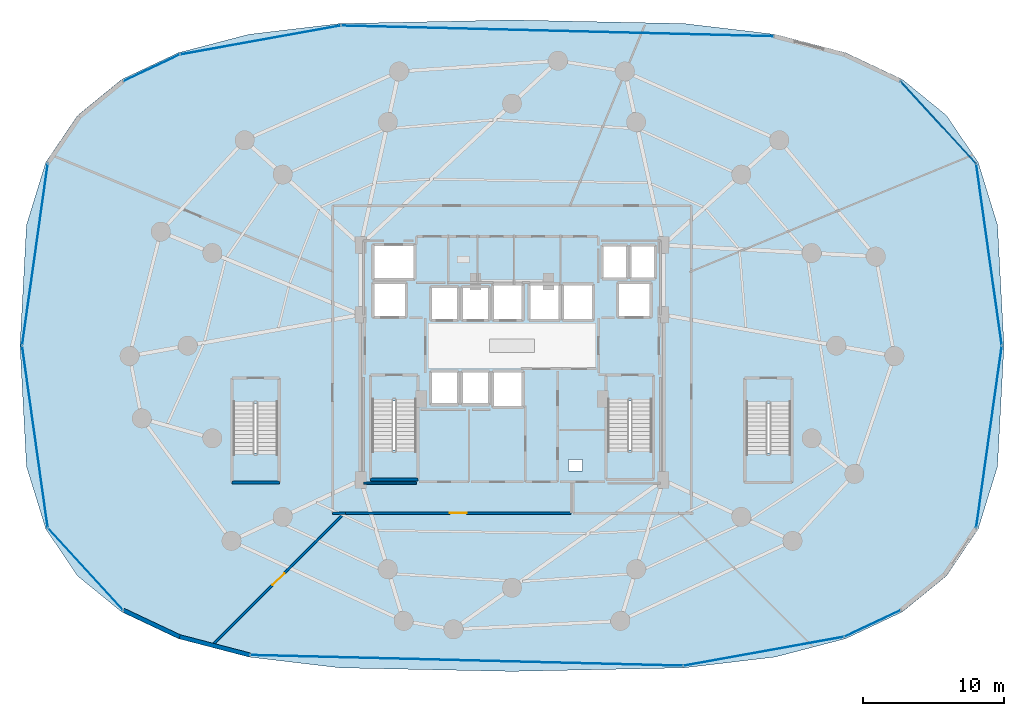
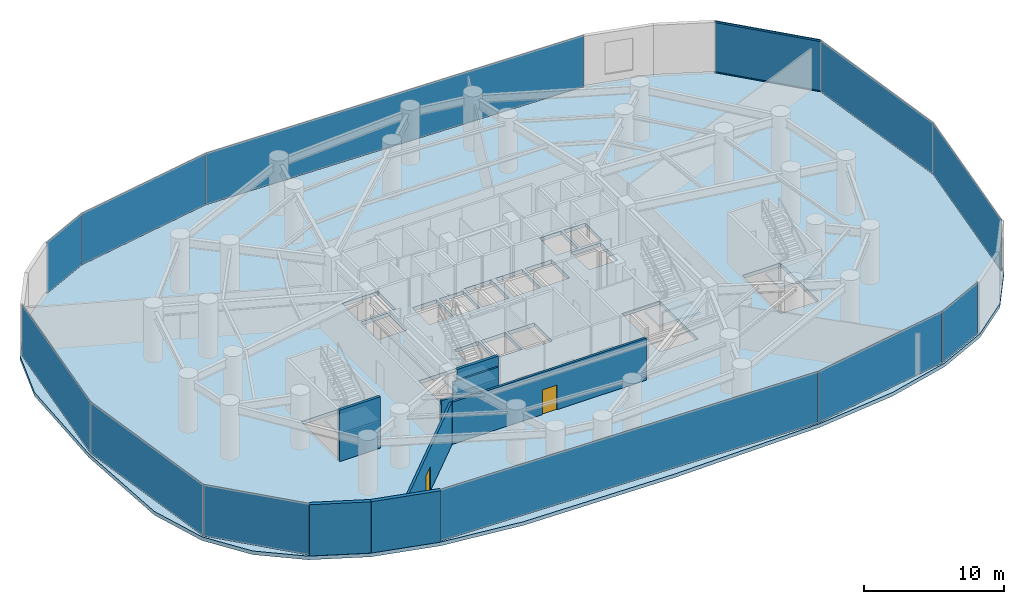
# One storey, part 20 of 26: 12 plates, 8 walls, 5 slabs, 2 doors, 2 members, 2 openings, 8 elements without a shape of their own.
"""IFC4 building model written with IfcOpenShell, lengths in metres."""

from ifc_helpers import new_model, si_unit, direction, frame, frame_2d, origin, origin_2d, place, context, subcontext, project, spatial, polyline, rectangle, hollow_rectangle, outline, extrude, material, layer, layer_set, material_profile, profile_set, type_object, element, fill, aggregate, save


model = new_model("IFC4")

# Units and contexts
model_context = context("Model", 3, precision=1e-05, world=origin(), true_north=direction((0.0, 1.0)))
body_context = subcontext(model_context, "Body", "Model", "MODEL_VIEW")
ifc_project = project(units=[si_unit("LENGTHUNIT", "METRE"), si_unit("AREAUNIT", "SQUARE_METRE"), si_unit("VOLUMEUNIT", "CUBIC_METRE"), si_unit("PLANEANGLEUNIT", "RADIAN"), si_unit("MASSUNIT", "GRAM", prefix="KILO")], contexts=[model_context])

# Site, building, storey
site_placement = place(None, origin())
site = spatial("IfcSite", under=ifc_project, at=site_placement, CompositionType="ELEMENT")
building_placement = place(site_placement, origin())
building = spatial("IfcBuilding", under=site, at=building_placement, Name="Vorneva Point Tower", CompositionType="ELEMENT")
storey_placement = place(building_placement, frame((0.0, 0.0, 14.39990234375)))
storey = spatial("IfcBuildingStorey", under=building, at=storey_placement, Name="L03", CompositionType="ELEMENT", Elevation=14.39990234375)

# Curtain wall, members, plates
ifc_material_1 = material(Name="Pale anodised aluminium", Category="aluminium")
curtain_wall_type = type_object("IfcCurtainWallType", Name="CW-POD-SYS", PredefinedType="NOTDEFINED", material=ifc_material_1)
curtain_wall_1_placement = place(storey_placement, origin())
curtain_wall_1 = element("IfcCurtainWall", 1, at=curtain_wall_1_placement, inside=storey, type_object=curtain_wall_type, Name="L03 Unitised Curtain Wall CW-L03-R01", PredefinedType="NOTDEFINED")
ifc_material_profile = material_profile(ifc_material_1, hollow_rectangle(XDim=0.074951171875, YDim=0.14990234375, WallThickness=0.00390625, at=origin_2d()), Name="AL-TRN 150x75x4")
ifc_profile_set = profile_set([ifc_material_profile], Name="Pale anodised aluminium")
member_type = type_object("IfcMemberType", Name="CW-TRN-150", PredefinedType="USERDEFINED", material=ifc_profile_set)
member_1_placement = place(storey_placement, frame((70.990234375, 38.9462890625, 0.02001953125), z_axis=(-0.675873489508, 0.737017656627, 0.0), x_axis=(-0.737017656627, -0.675873489508, 0.0)))
member_1 = element("IfcMember", 2, at=member_1_placement, type_object=member_type, Name="CW-L03-R01 Transom 03.1", ObjectType="TRANSOM", PredefinedType="USERDEFINED", context=body_context, shape_type="SweptSolid", body=[
    extrude(hollow_rectangle(XDim=0.074951171875, YDim=0.14990234375, WallThickness=0.00390625, at=origin_2d()), origin(), (0.0, 0.0, 1.0), 7.94580078125),
])
member_2_placement = place(storey_placement, frame((70.990234375, 38.9462890625, 4.460205078125), z_axis=(-0.675873489508, 0.737017656627, 0.0), x_axis=(-0.737017656627, -0.675873489508, 0.0)))
member_2 = element("IfcMember", 3, at=member_2_placement, type_object=member_type, Name="CW-L03-R01 Transom 03.2", ObjectType="TRANSOM", PredefinedType="USERDEFINED", context=body_context, shape_type="SweptSolid", body=[
    extrude(hollow_rectangle(XDim=0.074951171875, YDim=0.14990234375, WallThickness=0.00390625, at=origin_2d()), origin(), (0.0, 0.0, 1.0), 7.94580078125),
])
ifc_material_2 = material(Name="Double low-e laminated glass IGU", Category="glass")
ifc_layer_1 = layer(ifc_material_2, 0.035888671875)
ifc_layer_set_1 = layer_set([ifc_layer_1], Name="Double low-e laminated glass IGU")
plate_type = type_object("IfcPlateType", Name="CW-PNL-VIS", PredefinedType="CURTAIN_PANEL", material=ifc_layer_set_1)
plate_1_placement = place(storey_placement, frame((71.90234375, 19.52685546875, -0.02001953125), z_axis=(0.0, 0.0, 1.0), x_axis=(0.139536043808, 0.990216992623, 0.0)))
plate_1 = element("IfcPlate", 4, at=plate_1_placement, type_object=plate_type, Name="CW-L03-R01 Glazed Panel 01", PredefinedType="CURTAIN_PANEL", context=body_context, shape_type="SweptSolid", body=[
    extrude(rectangle(XDim=13.024169921875, YDim=0.035888671875, at=origin_2d()), origin(), (0.0, 0.0, 1.0), 4.52001953125),
])
plate_2_placement = place(storey_placement, frame((71.90234375, 32.47314453125, -0.02001953125), z_axis=(0.0, 0.0, 1.0), x_axis=(-0.139536043808, 0.990216992623, 0.0)))
plate_2 = element("IfcPlate", 5, at=plate_2_placement, type_object=plate_type, Name="CW-L03-R01 Glazed Panel 02", PredefinedType="CURTAIN_PANEL", context=body_context, shape_type="SweptSolid", body=[
    extrude(rectangle(XDim=13.024169921875, YDim=0.035888671875, at=origin_2d()), origin(), (0.0, 0.0, 1.0), 4.52001953125),
])
plate_3_placement = place(storey_placement, frame((68.30517578125, 41.874267578125, -0.02001953125), z_axis=(0.0, 0.0, 1.0), x_axis=(-0.675873251981, 0.737017874449, 0.0)))
plate_3 = element("IfcPlate", 6, at=plate_3_placement, type_object=plate_type, Name="CW-L03-R01 Glazed Panel 03", PredefinedType="CURTAIN_PANEL", context=body_context, shape_type="SweptSolid", body=[
    extrude(rectangle(XDim=7.89599609375, YDim=0.035888671875, at=origin_2d()), origin(), (0.0, 0.0, 1.0), 4.52001953125),
])
aggregate(curtain_wall_1, [plate_1, plate_2, member_1, member_2, plate_3])

# Curtain wall, plates
curtain_wall_2_placement = place(storey_placement, origin())
curtain_wall_2 = element("IfcCurtainWall", 7, at=curtain_wall_2_placement, inside=storey, type_object=curtain_wall_type, Name="L03 Unitised Curtain Wall CW-L03-R02", PredefinedType="NOTDEFINED")
plate_4_placement = place(storey_placement, frame((41.21923828125, 48.367919921875, -0.02001953125), z_axis=(0.0, 0.0, 1.0), x_axis=(-0.999694196604, 0.024728794476, 0.0)))
plate_4 = element("IfcPlate", 8, at=plate_4_placement, type_object=plate_type, Name="CW-L03-R02 Glazed Panel 01", PredefinedType="CURTAIN_PANEL", context=body_context, shape_type="SweptSolid", body=[
    extrude(rectangle(XDim=30.757080078125, YDim=0.035888671875, at=origin_2d()), origin(), (0.0, 0.0, 1.0), 4.52001953125),
])
plate_5_placement = place(storey_placement, frame((20.100830078125, 47.7177734375, -0.02001953125), z_axis=(0.0, 0.0, 1.0), x_axis=(-0.984136830332, -0.1774111022, 0.0)))
plate_5 = element("IfcPlate", 9, at=plate_5_placement, type_object=plate_type, Name="CW-L03-R02 Glazed Panel 02", PredefinedType="CURTAIN_PANEL", context=body_context, shape_type="SweptSolid", body=[
    extrude(rectangle(XDim=11.573486328125, YDim=0.035888671875, at=origin_2d()), origin(), (0.0, 0.0, 1.0), 4.52001953125),
])
plate_6_placement = place(storey_placement, frame((12.380615234375, 45.74462890625, -0.02001953125), z_axis=(0.0, 0.0, 1.0), x_axis=(-0.904708117179, -0.42603195034, 0.0)))
plate_6 = element("IfcPlate", 10, at=plate_6_placement, type_object=plate_type, Name="CW-L03-R02 Glazed Panel 03", PredefinedType="CURTAIN_PANEL", context=body_context, shape_type="SweptSolid", body=[
    extrude(rectangle(XDim=4.37255859375, YDim=0.035888671875, at=origin_2d()), origin(), (0.0, 0.0, 1.0), 4.52001953125),
])
aggregate(curtain_wall_2, [plate_4, plate_5, plate_6])

curtain_wall_3_placement = place(storey_placement, origin())
curtain_wall_3 = element("IfcCurtainWall", 11, at=curtain_wall_3_placement, inside=storey, type_object=curtain_wall_type, Name="L03 Unitised Curtain Wall CW-L03-R03", PredefinedType="NOTDEFINED")
plate_7_placement = place(storey_placement, frame((4.09765625, 32.47314453125, -0.02001953125), z_axis=(0.0, 0.0, 1.0), x_axis=(-0.139536043808, -0.990216992623, 0.0)))
plate_7 = element("IfcPlate", 12, at=plate_7_placement, type_object=plate_type, Name="CW-L03-R03 Glazed Panel 01", PredefinedType="CURTAIN_PANEL", context=body_context, shape_type="SweptSolid", body=[
    extrude(rectangle(XDim=13.024169921875, YDim=0.035888671875, at=origin_2d()), origin(), (0.0, 0.0, 1.0), 4.52001953125),
])
plate_8_placement = place(storey_placement, frame((4.09765625, 19.52685546875, -0.02001953125), z_axis=(0.0, 0.0, 1.0), x_axis=(0.139536043808, -0.990216992623, 0.0)))
plate_8 = element("IfcPlate", 13, at=plate_8_placement, type_object=plate_type, Name="CW-L03-R03 Glazed Panel 02", PredefinedType="CURTAIN_PANEL", context=body_context, shape_type="SweptSolid", body=[
    extrude(rectangle(XDim=13.024169921875, YDim=0.035888671875, at=origin_2d()), origin(), (0.0, 0.0, 1.0), 4.52001953125),
])
plate_9_placement = place(storey_placement, frame((7.69482421875, 10.125732421875, -0.02001953125), z_axis=(0.0, 0.0, 1.0), x_axis=(0.675873251981, -0.737017874449, 0.0)))
plate_9 = element("IfcPlate", 14, at=plate_9_placement, type_object=plate_type, Name="CW-L03-R03 Glazed Panel 03", PredefinedType="CURTAIN_PANEL", context=body_context, shape_type="SweptSolid", body=[
    extrude(rectangle(XDim=7.89599609375, YDim=0.035888671875, at=origin_2d()), origin(), (0.0, 0.0, 1.0), 4.52001953125),
])
aggregate(curtain_wall_3, [plate_7, plate_8, plate_9])

curtain_wall_4_placement = place(storey_placement, origin())
curtain_wall_4 = element("IfcCurtainWall", 15, at=curtain_wall_4_placement, inside=storey, type_object=curtain_wall_type, Name="L03 Unitised Curtain Wall CW-L03-R04", PredefinedType="NOTDEFINED")
plate_10_placement = place(storey_placement, frame((34.780517578125, 3.632080078125, -0.02001953125), z_axis=(0.0, 0.0, 1.0), x_axis=(0.999694196604, -0.024728794476, 0.0)))
plate_10 = element("IfcPlate", 16, at=plate_10_placement, type_object=plate_type, Name="CW-L03-R04 Glazed Panel 01", PredefinedType="CURTAIN_PANEL", context=body_context, shape_type="SweptSolid", body=[
    extrude(rectangle(XDim=30.757080078125, YDim=0.035888671875, at=origin_2d()), origin(), (0.0, 0.0, 1.0), 4.52001953125),
])
plate_11_placement = place(storey_placement, frame((55.899169921875, 4.2822265625, -0.02001953125), z_axis=(0.0, 0.0, 1.0), x_axis=(0.984136830332, 0.1774111022, 0.0)))
plate_11 = element("IfcPlate", 17, at=plate_11_placement, type_object=plate_type, Name="CW-L03-R04 Glazed Panel 02", PredefinedType="CURTAIN_PANEL", context=body_context, shape_type="SweptSolid", body=[
    extrude(rectangle(XDim=11.573486328125, YDim=0.035888671875, at=origin_2d()), origin(), (0.0, 0.0, 1.0), 4.52001953125),
])
plate_12_placement = place(storey_placement, frame((63.619384765625, 6.25537109375, -0.02001953125), z_axis=(0.0, 0.0, 1.0), x_axis=(0.904708117179, 0.42603195034, 0.0)))
plate_12 = element("IfcPlate", 18, at=plate_12_placement, type_object=plate_type, Name="CW-L03-R04 Glazed Panel 03", PredefinedType="CURTAIN_PANEL", context=body_context, shape_type="SweptSolid", body=[
    extrude(rectangle(XDim=4.37255859375, YDim=0.035888671875, at=origin_2d()), origin(), (0.0, 0.0, 1.0), 4.52001953125),
])
aggregate(curtain_wall_4, [plate_10, plate_11, plate_12])

# Stair, slab
ifc_material_3 = material(Name="Concrete B50 (C40/50)", Category="concrete")
stair_type = type_object("IfcStairType", Name="ST-DOG-1500", PredefinedType="HALF_TURN_STAIR", material=ifc_material_3)
stair_1_placement = place(storey_placement, origin())
stair_1 = element("IfcStair", 19, at=stair_1_placement, inside=storey, type_object=stair_type, Name="L03 ST1", PredefinedType="HALF_TURN_STAIR")
ifc_layer_2 = layer(ifc_material_3, 0.199951171875)
ifc_layer_set_2 = layer_set([ifc_layer_2], Name="Concrete B50 (C40/50)")
slab_type_1 = type_object("IfcSlabType", Name="SLB-LND-200", PredefinedType="LANDING", material=ifc_layer_set_2)
slab_1_placement = place(storey_placement, frame((0.0, 0.0, 2.2001953125)))
slab_1 = element("IfcSlab", 20, at=slab_1_placement, type_object=slab_type_1, Name="ST1 landing 1", PredefinedType="LANDING", context=body_context, shape_type="SweptSolid", body=[
    extrude(outline(polyline([(27.929931640625, 16.47998046875), (31.320068359375, 16.47998046875), (31.320068359375, 18.570068359375), (27.929931640625, 18.570068359375), (27.929931640625, 16.47998046875)])), origin(), (0.0, 0.0, 1.0), 0.199951171875),
])
aggregate(stair_1, [slab_1])

stair_2_placement = place(storey_placement, origin())
stair_2 = element("IfcStair", 21, at=stair_2_placement, inside=storey, type_object=stair_type, Name="L03 ST2", PredefinedType="HALF_TURN_STAIR")
slab_2_placement = place(storey_placement, frame((0.0, 0.0, 2.2001953125)))
slab_2 = element("IfcSlab", 22, at=slab_2_placement, type_object=slab_type_1, Name="ST2 landing 1", PredefinedType="LANDING", context=body_context, shape_type="SweptSolid", body=[
    extrude(outline(polyline([(44.679931640625, 16.47998046875), (48.070068359375, 16.47998046875), (48.070068359375, 18.570068359375), (44.679931640625, 18.570068359375), (44.679931640625, 16.47998046875)])), origin(), (0.0, 0.0, 1.0), 0.199951171875),
])
aggregate(stair_2, [slab_2])

stair_3_placement = place(storey_placement, origin())
stair_3 = element("IfcStair", 23, at=stair_3_placement, inside=storey, type_object=stair_type, Name="L03 ST3", PredefinedType="HALF_TURN_STAIR")
slab_3_placement = place(storey_placement, frame((0.0, 0.0, 2.2001953125)))
slab_3 = element("IfcSlab", 24, at=slab_3_placement, type_object=slab_type_1, Name="ST3 landing 1", PredefinedType="LANDING", context=body_context, shape_type="SweptSolid", body=[
    extrude(outline(polyline([(18.080078125, 16.280029296875), (21.469970703125, 16.280029296875), (21.469970703125, 18.3701171875), (18.080078125, 18.3701171875), (18.080078125, 16.280029296875)])), origin(), (0.0, 0.0, 1.0), 0.199951171875),
])
aggregate(stair_3, [slab_3])

stair_4_placement = place(storey_placement, origin())
stair_4 = element("IfcStair", 25, at=stair_4_placement, inside=storey, type_object=stair_type, Name="L03 ST4", PredefinedType="HALF_TURN_STAIR")
slab_4_placement = place(storey_placement, frame((0.0, 0.0, 2.2001953125)))
slab_4 = element("IfcSlab", 26, at=slab_4_placement, type_object=slab_type_1, Name="ST4 landing 1", PredefinedType="LANDING", context=body_context, shape_type="SweptSolid", body=[
    extrude(outline(polyline([(54.530029296875, 16.280029296875), (57.919921875, 16.280029296875), (57.919921875, 18.3701171875), (54.530029296875, 18.3701171875), (54.530029296875, 16.280029296875)])), origin(), (0.0, 0.0, 1.0), 0.199951171875),
])
aggregate(stair_4, [slab_4])

# Slab
ifc_layer_3 = layer(ifc_material_3, 0.320068359375)
ifc_layer_set_3 = layer_set([ifc_layer_3], Name="Concrete B50 (C40/50)")
slab_type_2 = type_object("IfcSlabType", Name="SLB-POD-320", PredefinedType="FLOOR", material=ifc_layer_set_3)
slab_5_placement = place(storey_placement, frame((0.0, 0.0, -0.31982421875)))
element("IfcSlab", 27, at=slab_5_placement, inside=storey, type_object=slab_type_2, Name="L03 Structural Floor Plate", PredefinedType="FLOOR", context=body_context, shape_type="SweptSolid", body=[
    extrude(outline(polyline([(72.966796875, 26.0), (72.50634765625, 34.5791015625), (71.134521484375, 39.029296875), (68.873046875, 42.368896484375), (65.74072265625, 44.92333984375), (61.721923828125, 46.819580078125), (56.69970703125, 48.128173828125), (50.23291015625, 48.89501953125), (38.0, 49.1474609375), (25.76708984375, 48.89501953125), (19.30029296875, 48.128173828125), (14.278076171875, 46.819580078125), (10.25927734375, 44.92333984375), (7.126953125, 42.368896484375), (4.865478515625, 39.029296875), (3.49365234375, 34.5791015625), (3.033203125, 26.0), (3.49365234375, 17.4208984375), (4.865478515625, 12.970703125), (7.126953125, 9.631103515625), (10.25927734375, 7.07666015625), (14.278076171875, 5.180419921875), (19.30029296875, 3.871826171875), (25.76708984375, 3.10498046875), (38.0, 2.8525390625), (50.23291015625, 3.10498046875), (56.69970703125, 3.871826171875), (61.721923828125, 5.180419921875), (65.74072265625, 7.07666015625), (68.873046875, 9.631103515625), (71.134521484375, 12.970703125), (72.50634765625, 17.4208984375), (72.966796875, 26.0)]), holes=[polyline([(32.199951171875, 27.800048828125), (34.199951171875, 27.800048828125), (34.199951171875, 30.199951171875), (32.199951171875, 30.199951171875), (32.199951171875, 27.800048828125)]), polyline([(34.39990234375, 27.800048828125), (36.39990234375, 27.800048828125), (36.39990234375, 30.199951171875), (34.39990234375, 30.199951171875), (34.39990234375, 27.800048828125)]), polyline([(36.60009765625, 27.800048828125), (38.800048828125, 27.800048828125), (38.800048828125, 30.39990234375), (36.60009765625, 30.39990234375), (36.60009765625, 27.800048828125)]), polyline([(32.199951171875, 21.800048828125), (34.199951171875, 21.800048828125), (34.199951171875, 24.199951171875), (32.199951171875, 24.199951171875), (32.199951171875, 21.800048828125)]), polyline([(34.39990234375, 21.800048828125), (36.39990234375, 21.800048828125), (36.39990234375, 24.199951171875), (34.39990234375, 24.199951171875), (34.39990234375, 21.800048828125)]), polyline([(36.60009765625, 21.60009765625), (38.800048828125, 21.60009765625), (38.800048828125, 24.199951171875), (36.60009765625, 24.199951171875), (36.60009765625, 21.60009765625)]), polyline([(39.199951171875, 27.800048828125), (41.39990234375, 27.800048828125), (41.39990234375, 30.39990234375), (39.199951171875, 30.39990234375), (39.199951171875, 27.800048828125)]), polyline([(41.60009765625, 27.800048828125), (43.800048828125, 27.800048828125), (43.800048828125, 30.39990234375), (41.60009765625, 30.39990234375), (41.60009765625, 27.800048828125)]), polyline([(44.39990234375, 30.739990234375), (46.199951171875, 30.739990234375), (46.199951171875, 33.159912109375), (44.39990234375, 33.159912109375), (44.39990234375, 30.739990234375)]), polyline([(46.39990234375, 30.739990234375), (48.199951171875, 30.739990234375), (48.199951171875, 33.159912109375), (46.39990234375, 33.159912109375), (46.39990234375, 30.739990234375)]), polyline([(28.10009765625, 28.0), (30.5, 28.0), (30.5, 30.5), (28.10009765625, 30.5), (28.10009765625, 28.0)]), polyline([(45.5, 28.0), (47.89990234375, 28.0), (47.89990234375, 30.5), (45.5, 30.5), (45.5, 28.0)]), polyline([(28.10009765625, 30.699951171875), (31.10009765625, 30.699951171875), (31.10009765625, 33.199951171875), (28.10009765625, 33.199951171875), (28.10009765625, 30.699951171875)]), polyline([(28.050048828125, 16.60009765625), (31.199951171875, 16.60009765625), (31.199951171875, 22.080078125), (28.050048828125, 22.080078125), (28.050048828125, 16.60009765625)]), polyline([(44.800048828125, 16.60009765625), (47.949951171875, 16.60009765625), (47.949951171875, 22.080078125), (44.800048828125, 22.080078125), (44.800048828125, 16.60009765625)]), polyline([(18.199951171875, 16.39990234375), (21.35009765625, 16.39990234375), (21.35009765625, 21.8798828125), (18.199951171875, 21.8798828125), (18.199951171875, 16.39990234375)]), polyline([(54.64990234375, 16.39990234375), (57.800048828125, 16.39990234375), (57.800048828125, 21.8798828125), (54.64990234375, 21.8798828125), (54.64990234375, 16.39990234375)]), polyline([(42.0, 17.10009765625), (43.0, 17.10009765625), (43.0, 17.89990234375), (42.0, 17.89990234375), (42.0, 17.10009765625)])]), origin(), (0.0, 0.0, 1.0), 0.31982421875),
])

# Walls
ifc_material_4 = material(Name="Precast concrete B50 (C40/50)", Category="concrete")
ifc_layer_4 = layer(ifc_material_4, 0.300048828125)
ifc_layer_set_4 = layer_set([ifc_layer_4], Name="Precast concrete B50 (C40/50)")
wall_type_1 = type_object("IfcWallType", Name="WL-EXT-300", PredefinedType="STANDARD", material=ifc_layer_set_4)
wall_1_placement = place(storey_placement, frame((10.380126953125, 7.197509765625, 0.0), z_axis=(0.0, 0.0, 1.0), x_axis=(0.904701070817, -0.426046913452, 0.0)))
element("IfcWall", 28, at=wall_1_placement, inside=storey, type_object=wall_type_1, Name="L03 Pale-Metal Facade Spandrel Wall 11.1", PredefinedType="STANDARD", context=body_context, shape_type="SweptSolid", body=[
    extrude(rectangle(XDim=4.422607421875, YDim=0.300048828125, at=frame_2d((2.21142578125, 0.0))), origin(), (0.0, 0.0, 1.0), 4.47998046875),
])
wall_2_placement = place(storey_placement, frame((14.38134765625, 5.313232421875, 0.0), z_axis=(0.0, 0.0, 1.0), x_axis=(0.967814681155, -0.251663948434, 0.0)))
element("IfcWall", 29, at=wall_2_placement, inside=storey, type_object=wall_type_1, Name="L03 Pale-Metal Facade Spandrel Wall 11.2", PredefinedType="STANDARD", context=body_context, shape_type="SweptSolid", body=[
    extrude(rectangle(XDim=5.166748046875, YDim=0.300048828125, at=frame_2d((2.58349609375, 0.0))), origin(), (0.0, 0.0, 1.0), 4.47998046875),
])
ifc_material_5 = material(Name="Fire-rated acoustic gypsum stud partition", Category="gypsum")
ifc_layer_5 = layer(ifc_material_5, 0.139892578125)
ifc_layer_set_5 = layer_set([ifc_layer_5], Name="Fire-rated acoustic gypsum stud partition")
wall_type_2 = type_object("IfcWallType", Name="WL-PART-140", PredefinedType="PARTITIONING", material=ifc_layer_set_5)
wall_3_placement = place(storey_placement, frame((31.195068359375, 16.239990234375, 0.0), z_axis=(0.0, 0.0, 1.0), x_axis=(-1.0, 0.0, 0.0)))
element("IfcWall", 30, at=wall_3_placement, inside=storey, type_object=wall_type_2, Name="L03 Interior Closure Partition 058", PredefinedType="PARTITIONING", context=body_context, shape_type="SweptSolid", body=[
    extrude(rectangle(XDim=3.7451171875, YDim=0.139892578125, at=frame_2d((1.87255859375, 0.0))), origin(), (0.0, 0.0, 1.0), 3.672119140625),
])
ifc_material_6 = material(Name="Autoclaved aerated concrete blockwork", Category="masonry")
ifc_layer_6 = layer(ifc_material_6, 0.179931640625)
ifc_layer_set_6 = layer_set([ifc_layer_6], Name="Autoclaved aerated concrete blockwork")
wall_type_3 = type_object("IfcWallType", Name="WL-PART-180", PredefinedType="PARTITIONING", material=ifc_layer_set_6)
wall_4_placement = place(storey_placement, frame((25.25, 14.10009765625, 0.0), z_axis=(0.0, 0.0, 1.0), x_axis=(1.0, 0.0, 0.0)))
element("IfcWall", 31, at=wall_4_placement, inside=storey, type_object=wall_type_3, Name="L03 Interior Partition 031", PredefinedType="PARTITIONING", context=body_context, shape_type="SweptSolid", body=[
    extrude(rectangle(XDim=0.909912109375, YDim=0.179931640625, at=frame_2d((0.455078125, 0.0))), origin(), (0.0, 0.0, 1.0), 4.114013671875),
])

# Wall, opening, door
wall_5_placement = place(storey_placement, frame((26.159912109375, 14.10009765625, 0.0), z_axis=(0.0, 0.0, 1.0), x_axis=(1.0, 0.0, 0.0)))
wall_5 = element("IfcWall", 32, at=wall_5_placement, inside=storey, type_object=wall_type_3, Name="L03 Interior Partition 034", PredefinedType="PARTITIONING", context=body_context, shape_type="SweptSolid", body=[
    extrude(rectangle(XDim=16.0400390625, YDim=0.179931640625, at=frame_2d((8.02001953125, 0.0))), origin(), (0.0, 0.0, 1.0), 3.672119140625),
])
opening_1_placement = place(wall_5_placement, frame((7.419921875, 0.0, 0.0)))
opening_1 = element("IfcOpeningElement", 33, at=opening_1_placement, cuts=wall_5, Name="Opening FD-02", PredefinedType="OPENING", context=body_context, shape_type="SweptSolid", body=[
    extrude(rectangle(XDim=1.199951171875, YDim=2.14990234375, at=frame_2d((0.60009765625, 1.074951171875))), frame((0.0, 0.10498046875, 0.0), z_axis=(0.0, -1.0, 0.0), x_axis=(1.0, 0.0, 0.0)), (0.0, 0.0, 1.0), 0.209716796875),
])
ifc_material_7 = material(Name="Fire-rated powder-coated steel", Category="steel")
door_type = type_object("IfcDoorType", Name="DR-FFL-1200", OperationType="NOTDEFINED", PredefinedType="DOOR", material=ifc_material_7)
door_1_placement = place(opening_1_placement, origin())
door_1 = element("IfcDoor", 34, at=door_1_placement, inside=storey, type_object=door_type, Name="L03 Door L03 Circulation Corridor / Conference Hall L03", OperationType="SINGLE_SWING_LEFT", OverallHeight=2.14990234375, OverallWidth=1.199951171875, PredefinedType="DOOR", context=body_context, shape_type="SweptSolid", body=[
    extrude(rectangle(XDim=1.199951171875, YDim=2.14990234375, at=frame_2d((0.60009765625, 1.074951171875))), frame((0.0, 0.02490234375, 0.0), z_axis=(0.0, -1.0, 0.0), x_axis=(1.0, 0.0, 0.0)), (0.0, 0.0, 1.0), 0.050048828125),
])
fill(opening_1, door_1)

wall_6_placement = place(storey_placement, frame((16.702880859375, 4.702880859375, 0.0), z_axis=(0.0, 0.0, 1.0), x_axis=(0.707106781187, 0.707106781187, 0.0)))
wall_6 = element("IfcWall", 35, at=wall_6_placement, inside=storey, type_object=wall_type_3, Name="L03 Interior Partition 042", PredefinedType="PARTITIONING", context=body_context, shape_type="SweptSolid", body=[
    extrude(rectangle(XDim=13.28955078125, YDim=0.179931640625, at=frame_2d((6.644775390625, 0.0))), origin(), (0.0, 0.0, 1.0), 3.76904296875),
])
opening_2_placement = place(wall_6_placement, frame((6.044677734375, 0.0, 0.0)))
opening_2 = element("IfcOpeningElement", 36, at=opening_2_placement, cuts=wall_6, Name="Opening FD-02", PredefinedType="OPENING", context=body_context, shape_type="SweptSolid", body=[
    extrude(rectangle(XDim=1.199951171875, YDim=2.14990234375, at=frame_2d((0.60009765625, 1.074951171875))), frame((0.0, 0.10498046875, 0.0), z_axis=(0.0, -1.0, 0.0), x_axis=(1.0, 0.0, 0.0)), (0.0, 0.0, 1.0), 0.209716796875),
])
door_2_placement = place(opening_2_placement, origin())
door_2 = element("IfcDoor", 37, at=door_2_placement, inside=storey, type_object=door_type, Name="L03 Door Pre-Function Foyer L03 / Conference Hall L03", OperationType="SINGLE_SWING_LEFT", OverallHeight=2.14990234375, OverallWidth=1.199951171875, PredefinedType="DOOR", context=body_context, shape_type="SweptSolid", body=[
    extrude(rectangle(XDim=1.199951171875, YDim=2.14990234375, at=frame_2d((0.60009765625, 1.074951171875))), frame((0.0, 0.02490234375, 0.0), z_axis=(0.0, -1.0, 0.0), x_axis=(1.0, 0.0, 0.0)), (0.0, 0.0, 1.0), 0.050048828125),
])
fill(opening_2, door_2)

# Walls
ifc_layer_7 = layer(ifc_material_3, 0.219970703125)
ifc_layer_set_7 = layer_set([ifc_layer_7], Name="Concrete B50 (C40/50)")
wall_type_4 = type_object("IfcWallType", Name="WL-SHFT-220", PredefinedType="SOLIDWALL", material=ifc_layer_set_7)
wall_7_placement = place(storey_placement, frame((31.31005859375, 16.489990234375, 0.0), z_axis=(0.0, 0.0, 1.0), x_axis=(-1.0, 0.0, 0.0)))
element("IfcWall", 38, at=wall_7_placement, inside=storey, type_object=wall_type_4, Name="L03 Exit Stair ST1 Shaft Wall far", PredefinedType="SOLIDWALL", context=body_context, shape_type="SweptSolid", body=[
    extrude(rectangle(XDim=3.3701171875, YDim=0.219970703125, at=frame_2d((1.68505859375, 0.0))), origin(), (0.0, 0.0, 1.0), 4.47998046875),
])
wall_8_placement = place(storey_placement, frame((21.4599609375, 16.2900390625, 0.0), z_axis=(0.0, 0.0, 1.0), x_axis=(-1.0, 0.0, 0.0)))
element("IfcWall", 39, at=wall_8_placement, inside=storey, type_object=wall_type_4, Name="L03 Exit Stair ST3 Shaft Wall far", PredefinedType="SOLIDWALL", context=body_context, shape_type="SweptSolid", body=[
    extrude(rectangle(XDim=3.369873046875, YDim=0.219970703125, at=frame_2d((1.68505859375, 0.0))), origin(), (0.0, 0.0, 1.0), 4.47998046875),
])

save(model, "model.ifc")
